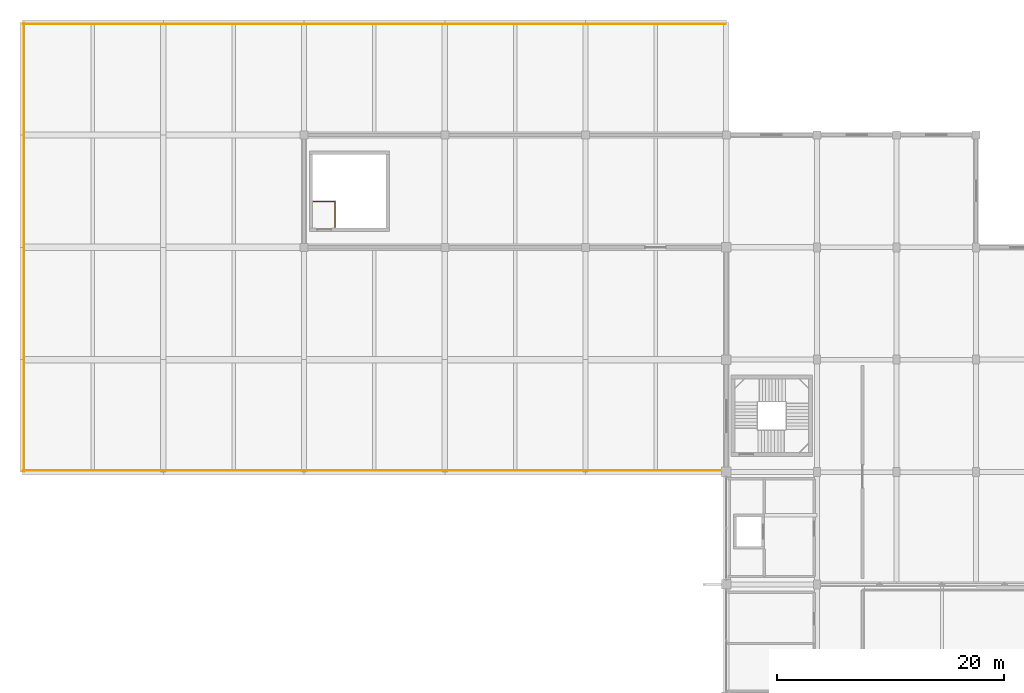
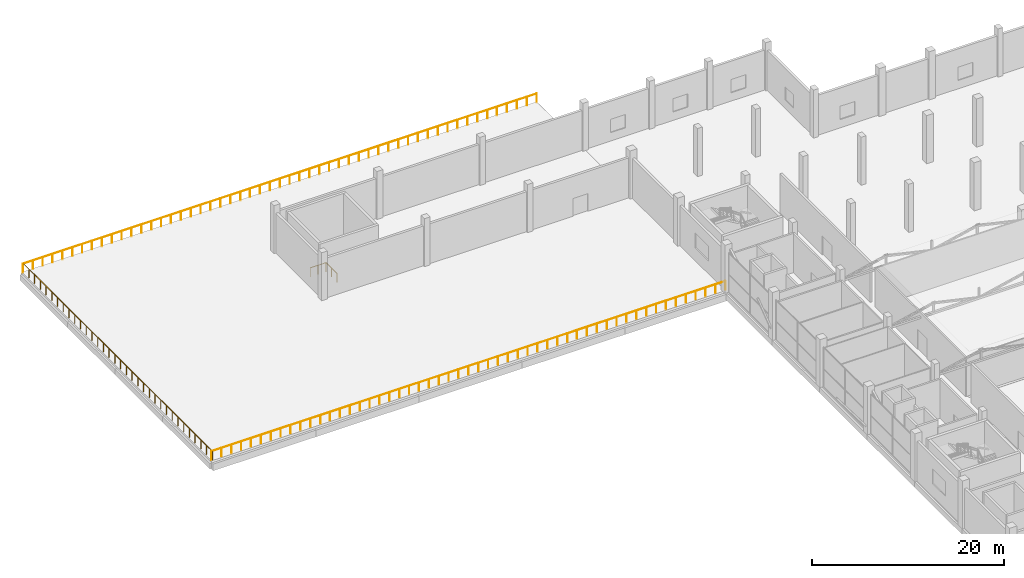
# One storey, part 44 of 46: 4 railings.
"""IFC4 building model written with IfcOpenShell, lengths in metres."""

import ifcopenshell
import ifcopenshell.guid

model = None  # the IFC model being written
_history = None  # IfcOwnerHistory: only IFC2X3 demands one
_inside = {}  # id of a spatial element -> (the spatial element, [elements in it])
_under = {}  # id of a project, library or spatial element -> (it, [spatial elements below it])
_declared = {}  # id of a project -> (the project, [libraries it declares])
_typed = {}  # id of a type object -> (the type object, [elements of that type])
_made_of = {}  # id of a material, layer set ... -> (it, [elements and type objects made of it])


def new_model(schema):
    """Start an empty IFC model of exactly this schema.

    Asked for "IFC4X3", IfcOpenShell would pick the latest addendum, in which some entities
    have other attributes; the version numbers below select the first issue.
    IFC2X3 requires an IfcOwnerHistory on every rooted entity: one is made here for all.
    """
    global model, _history
    if schema == "IFC4X3":
        model = ifcopenshell.file(schema_version=(4, 3, 0, 0))
    else:
        model = ifcopenshell.file(schema=schema)
    _inside.clear()
    _under.clear()
    _declared.clear()
    _typed.clear()
    _made_of.clear()
    _history = None
    if model.schema == "IFC2X3":
        org = make("IfcOrganization", Name="unknown")
        user = make(
            "IfcPersonAndOrganization",
            ThePerson=make("IfcPerson", FamilyName="unknown"),
            TheOrganization=org,
        )
        app = make(
            "IfcApplication",
            ApplicationDeveloper=org,
            Version="unknown",
            ApplicationFullName="unknown",
            ApplicationIdentifier="unknown",
        )
        _history = make(
            "IfcOwnerHistory",
            OwningUser=user,
            OwningApplication=app,
            ChangeAction="ADDED",
            CreationDate=0,
        )
    return model


def make(cls, **values):
    """One entity of the class cls with the attributes given. An attribute that is None is left unset."""
    return model.create_entity(
        cls, **{name: value for name, value in values.items() if value is not None}
    )


def rooted(cls, **values):
    """An entity with a GlobalId (a new one), such as an element, a storey or a relation."""
    return make(cls, GlobalId=ifcopenshell.guid.new(), OwnerHistory=_history, **values)


def si_unit(unit_type, name, prefix=None):
    """IfcSIUnit, for example si_unit("LENGTHUNIT", "METRE", prefix="MILLI")."""
    return make("IfcSIUnit", UnitType=unit_type, Prefix=prefix, Name=name)


def assignment(units):
    """IfcUnitAssignment: the units of a project."""
    return None if units is None else make("IfcUnitAssignment", Units=units)


def point(xyz):
    """IfcCartesianPoint."""
    return None if xyz is None else make("IfcCartesianPoint", Coordinates=xyz)


def direction(xyz):
    """IfcDirection."""
    return None if xyz is None else make("IfcDirection", DirectionRatios=xyz)


def frame(location, z_axis=None, x_axis=None):
    """IfcAxis2Placement3D, a coordinate frame: its origin and axes. An axis left out is left unset."""
    return make(
        "IfcAxis2Placement3D",
        Location=point(location),
        Axis=direction(z_axis),
        RefDirection=direction(x_axis),
    )


def frame_2d(location, x_axis=None):
    """IfcAxis2Placement2D, a coordinate frame in the plane: its origin and x axis."""
    return make(
        "IfcAxis2Placement2D", Location=point(location), RefDirection=direction(x_axis)
    )


def origin():
    """The frame at (0, 0, 0) with its axes left unset."""
    return frame((0.0, 0.0, 0.0))


def origin_2d():
    """The frame at (0, 0) in the plane with its x axis left unset."""
    return frame_2d((0.0, 0.0))


def place(relative_to, where):
    """IfcLocalPlacement: puts the frame where relative to a parent placement (None: the world)."""
    return make(
        "IfcLocalPlacement", PlacementRelTo=relative_to, RelativePlacement=where
    )


def context(
    kind, dimensions, precision=None, world=None, true_north=None, identifier=None
):
    """IfcGeometricRepresentationContext, for example the 3D "Model" context."""
    return make(
        "IfcGeometricRepresentationContext",
        ContextIdentifier=identifier,
        ContextType=kind,
        CoordinateSpaceDimension=dimensions,
        Precision=precision,
        WorldCoordinateSystem=world,
        TrueNorth=true_north,
    )


def subcontext(parent, identifier, kind, view, scale=None):
    """IfcGeometricRepresentationSubContext, for example "Body" below "Model"."""
    return make(
        "IfcGeometricRepresentationSubContext",
        ContextIdentifier=identifier,
        ContextType=kind,
        ParentContext=parent,
        TargetScale=scale,
        TargetView=view,
    )


def project(units=None, contexts=None):
    """IfcProject with its units and contexts."""
    return rooted(
        "IfcProject",
        Name="project",
        RepresentationContexts=contexts,
        UnitsInContext=assignment(units),
    )


def spatial(cls, under=None, at=None, **own):
    """A site, building, storey or space (cls), placed at a placement, below another one or the project."""
    s = rooted(cls, ObjectPlacement=at, **own)
    if under is not None:
        _under.setdefault(under.id(), (under, []))[1].append(s)
    return s


def profile(cls, at=None, kind="AREA", **sizes):
    """A parametric profile (cls). Its sizes go by their IFC names, for example OverallWidth=200.0."""
    return make(cls, ProfileType=kind, Position=at, **sizes)


def circle(**sizes):
    """IfcCircleProfileDef."""
    return profile("IfcCircleProfileDef", **sizes)


def extrude(swept, where, along, depth):
    """IfcExtrudedAreaSolid: the profile swept, set in the frame where, extruded along a direction by depth."""
    return make(
        "IfcExtrudedAreaSolid",
        SweptArea=swept,
        Position=where,
        ExtrudedDirection=direction(along),
        Depth=depth,
    )


def shape(context_of_items, identifier, shape_type, items):
    """IfcShapeRepresentation: the items that make up one representation, for example the "Body"."""
    return make(
        "IfcShapeRepresentation",
        ContextOfItems=context_of_items,
        RepresentationIdentifier=identifier,
        RepresentationType=shape_type,
        Items=items,
    )


def material(Name=None, Category=None):
    """IfcMaterial."""
    return make("IfcMaterial", Name=Name, Category=Category)


def made_of(thing, what):
    """Note that an element or type object is made of a material, layer set ...; save() writes the relation."""
    if what is not None:
        _made_of.setdefault(what.id(), (what, []))[1].append(thing)
    return thing


def type_object(cls, material=None, **own):
    """A type object (cls), such as IfcWallType, which elements share."""
    return made_of(rooted(cls, **own), material)


def element(
    cls,
    number,
    at=None,
    inside=None,
    cuts=None,
    type_object=None,
    material=None,
    context=None,
    identifier="Body",
    shape_type=None,
    held_by="IfcProductDefinitionShape",
    body=None,
    shapes=None,
    **own,
):
    """One element of the class cls, such as IfcWall. Its Tag is "e" and its number.

    at: its placement. inside: the storey or other place that contains it. cuts: it is an
    opening in that element (IfcRelVoidsElement). A single representation is given by context,
    identifier, shape_type and body (its items); several are given by shapes. held_by: the class
    of the entity that holds the representations. save() writes the other relations.
    """
    e = rooted(cls, Tag="e%d" % number, ObjectPlacement=at, **own)
    if body is not None:
        shapes = [shape(context, identifier, shape_type, body)]
    if shapes is not None:
        e.Representation = make(held_by, Representations=shapes)
    if inside is not None:
        _inside.setdefault(inside.id(), (inside, []))[1].append(e)
    if cuts is not None:
        rooted(
            "IfcRelVoidsElement", RelatingBuildingElement=cuts, RelatedOpeningElement=e
        )
    if type_object is not None:
        _typed.setdefault(type_object.id(), (type_object, []))[1].append(e)
    return made_of(e, material)


def aggregate(whole, parts):
    """IfcRelAggregates: a whole, such as a stair, and the parts it consists of."""
    return rooted("IfcRelAggregates", RelatingObject=whole, RelatedObjects=parts)


def save(model, path):
    """Write the relations noted so far, then the file.

    IfcRelAggregates (storeys below a building ...), IfcRelContainedInSpatialStructure (elements
    in a storey), IfcRelDefinesByType, IfcRelAssociatesMaterial and IfcRelDeclares: one each for
    every whole, place, type object, material and project.
    """
    for whole, parts in _under.values():
        aggregate(whole, parts)
    for where, things in _inside.values():
        rooted(
            "IfcRelContainedInSpatialStructure",
            RelatedElements=things,
            RelatingStructure=where,
        )
    for kind, things in _typed.values():
        rooted("IfcRelDefinesByType", RelatedObjects=things, RelatingType=kind)
    for what, things in _made_of.values():
        rooted("IfcRelAssociatesMaterial", RelatedObjects=things, RelatingMaterial=what)
    for by, libraries in _declared.values():
        rooted("IfcRelDeclares", RelatingContext=by, RelatedDefinitions=libraries)
    model.write(path)


model = new_model("IFC4")

# Units and contexts
model_context = context("Model", 3, precision=1e-05, world=origin(), true_north=direction((0.0, 1.0)))
body_context = subcontext(model_context, "Body", "Model", "MODEL_VIEW")
ifc_project = project(units=[si_unit("LENGTHUNIT", "METRE"), si_unit("AREAUNIT", "SQUARE_METRE"), si_unit("VOLUMEUNIT", "CUBIC_METRE"), si_unit("PLANEANGLEUNIT", "RADIAN"), si_unit("MASSUNIT", "GRAM", prefix="KILO")], contexts=[model_context])

# Site, building, storey
site_placement = place(None, origin())
site = spatial("IfcSite", under=ifc_project, at=site_placement, CompositionType="ELEMENT")
building_placement = place(site_placement, origin())
building = spatial("IfcBuilding", under=site, at=building_placement, Name="Sillaruma Civic Art Gallery", CompositionType="ELEMENT")
storey_placement = place(building_placement, frame((0.0, 0.0, 16.320068359375)))
storey = spatial("IfcBuildingStorey", under=building, at=storey_placement, Name="L03", CompositionType="ELEMENT", Elevation=16.320068359375)

# Railings
ifc_material = material(Name="Stainless Steel AISI 316", Category="steel")
railing_type = type_object("IfcRailingType", Name="RAL-BAL-1150", PredefinedType="BALUSTRADE", material=ifc_material)
railing_1_placement = place(storey_placement, frame((0.06005859375, 79.320068359375, 0.0)))
element("IfcRailing", 1, at=railing_1_placement, inside=storey, type_object=railing_type, Name="Sculpture Terrace Balustrade (SLB-L03-TER-W-1)", PredefinedType="BALUSTRADE", context=body_context, shape_type="SweptSolid", body=[
    extrude(circle(Radius=0.02392578125, at=origin_2d()), frame((0.0, 0.0, 1.1259765625), z_axis=(1.0, 0.0, 0.0), x_axis=(0.0, 1.0, 0.0)), (0.0, 0.0, 1.0), 61.8798828125),
    extrude(circle(Radius=0.02099609375, at=origin_2d()), origin(), (0.0, 0.0, 1.0), 1.101806640625),
    extrude(circle(Radius=0.02099609375, at=origin_2d()), frame((1.18994140625, 0.0, 0.0)), (0.0, 0.0, 1.0), 1.101806640625),
    extrude(circle(Radius=0.02099609375, at=origin_2d()), frame((2.3798828125, 0.0, 0.0)), (0.0, 0.0, 1.0), 1.101806640625),
    extrude(circle(Radius=0.02099609375, at=origin_2d()), frame((3.570068359375, 0.0, 0.0)), (0.0, 0.0, 1.0), 1.101806640625),
    extrude(circle(Radius=0.02099609375, at=origin_2d()), frame((4.760009765625, 0.0, 0.0)), (0.0, 0.0, 1.0), 1.101806640625),
    extrude(circle(Radius=0.02099609375, at=origin_2d()), frame((5.949951171875, 0.0, 0.0)), (0.0, 0.0, 1.0), 1.101806640625),
    extrude(circle(Radius=0.02099609375, at=origin_2d()), frame((7.139892578125, 0.0, 0.0)), (0.0, 0.0, 1.0), 1.101806640625),
    extrude(circle(Radius=0.02099609375, at=origin_2d()), frame((8.330078125, 0.0, 0.0)), (0.0, 0.0, 1.0), 1.101806640625),
    extrude(circle(Radius=0.02099609375, at=origin_2d()), frame((9.52001953125, 0.0, 0.0)), (0.0, 0.0, 1.0), 1.101806640625),
    extrude(circle(Radius=0.02099609375, at=origin_2d()), frame((10.7099609375, 0.0, 0.0)), (0.0, 0.0, 1.0), 1.101806640625),
    extrude(circle(Radius=0.02099609375, at=origin_2d()), frame((11.89990234375, 0.0, 0.0)), (0.0, 0.0, 1.0), 1.101806640625),
    extrude(circle(Radius=0.02099609375, at=origin_2d()), frame((13.090087890625, 0.0, 0.0)), (0.0, 0.0, 1.0), 1.101806640625),
    extrude(circle(Radius=0.02099609375, at=origin_2d()), frame((14.280029296875, 0.0, 0.0)), (0.0, 0.0, 1.0), 1.101806640625),
    extrude(circle(Radius=0.02099609375, at=origin_2d()), frame((15.469970703125, 0.0, 0.0)), (0.0, 0.0, 1.0), 1.101806640625),
    extrude(circle(Radius=0.02099609375, at=origin_2d()), frame((16.659912109375, 0.0, 0.0)), (0.0, 0.0, 1.0), 1.101806640625),
    extrude(circle(Radius=0.02099609375, at=origin_2d()), frame((17.849853515625, 0.0, 0.0)), (0.0, 0.0, 1.0), 1.101806640625),
    extrude(circle(Radius=0.02099609375, at=origin_2d()), frame((19.0400390625, 0.0, 0.0)), (0.0, 0.0, 1.0), 1.101806640625),
    extrude(circle(Radius=0.02099609375, at=origin_2d()), frame((20.22998046875, 0.0, 0.0)), (0.0, 0.0, 1.0), 1.101806640625),
    extrude(circle(Radius=0.02099609375, at=origin_2d()), frame((21.419921875, 0.0, 0.0)), (0.0, 0.0, 1.0), 1.101806640625),
    extrude(circle(Radius=0.02099609375, at=origin_2d()), frame((22.60986328125, 0.0, 0.0)), (0.0, 0.0, 1.0), 1.101806640625),
    extrude(circle(Radius=0.02099609375, at=origin_2d()), frame((23.800048828125, 0.0, 0.0)), (0.0, 0.0, 1.0), 1.101806640625),
    extrude(circle(Radius=0.02099609375, at=origin_2d()), frame((24.989990234375, 0.0, 0.0)), (0.0, 0.0, 1.0), 1.101806640625),
    extrude(circle(Radius=0.02099609375, at=origin_2d()), frame((26.179931640625, 0.0, 0.0)), (0.0, 0.0, 1.0), 1.101806640625),
    extrude(circle(Radius=0.02099609375, at=origin_2d()), frame((27.369873046875, 0.0, 0.0)), (0.0, 0.0, 1.0), 1.101806640625),
    extrude(circle(Radius=0.02099609375, at=origin_2d()), frame((28.56005859375, 0.0, 0.0)), (0.0, 0.0, 1.0), 1.101806640625),
    extrude(circle(Radius=0.02099609375, at=origin_2d()), frame((29.75, 0.0, 0.0)), (0.0, 0.0, 1.0), 1.101806640625),
    extrude(circle(Radius=0.02099609375, at=origin_2d()), frame((30.93994140625, 0.0, 0.0)), (0.0, 0.0, 1.0), 1.101806640625),
    extrude(circle(Radius=0.02099609375, at=origin_2d()), frame((32.1298828125, 0.0, 0.0)), (0.0, 0.0, 1.0), 1.101806640625),
    extrude(circle(Radius=0.02099609375, at=origin_2d()), frame((33.31982421875, 0.0, 0.0)), (0.0, 0.0, 1.0), 1.101806640625),
    extrude(circle(Radius=0.02099609375, at=origin_2d()), frame((34.510009765625, 0.0, 0.0)), (0.0, 0.0, 1.0), 1.101806640625),
    extrude(circle(Radius=0.02099609375, at=origin_2d()), frame((35.699951171875, 0.0, 0.0)), (0.0, 0.0, 1.0), 1.101806640625),
    extrude(circle(Radius=0.02099609375, at=origin_2d()), frame((36.889892578125, 0.0, 0.0)), (0.0, 0.0, 1.0), 1.101806640625),
    extrude(circle(Radius=0.02099609375, at=origin_2d()), frame((38.079833984375, 0.0, 0.0)), (0.0, 0.0, 1.0), 1.101806640625),
    extrude(circle(Radius=0.02099609375, at=origin_2d()), frame((39.27001953125, 0.0, 0.0)), (0.0, 0.0, 1.0), 1.101806640625),
    extrude(circle(Radius=0.02099609375, at=origin_2d()), frame((40.4599609375, 0.0, 0.0)), (0.0, 0.0, 1.0), 1.101806640625),
    extrude(circle(Radius=0.02099609375, at=origin_2d()), frame((41.64990234375, 0.0, 0.0)), (0.0, 0.0, 1.0), 1.101806640625),
    extrude(circle(Radius=0.02099609375, at=origin_2d()), frame((42.83984375, 0.0, 0.0)), (0.0, 0.0, 1.0), 1.101806640625),
    extrude(circle(Radius=0.02099609375, at=origin_2d()), frame((44.030029296875, 0.0, 0.0)), (0.0, 0.0, 1.0), 1.101806640625),
    extrude(circle(Radius=0.02099609375, at=origin_2d()), frame((45.219970703125, 0.0, 0.0)), (0.0, 0.0, 1.0), 1.101806640625),
    extrude(circle(Radius=0.02099609375, at=origin_2d()), frame((46.409912109375, 0.0, 0.0)), (0.0, 0.0, 1.0), 1.101806640625),
    extrude(circle(Radius=0.02099609375, at=origin_2d()), frame((47.599853515625, 0.0, 0.0)), (0.0, 0.0, 1.0), 1.101806640625),
    extrude(circle(Radius=0.02099609375, at=origin_2d()), frame((48.789794921875, 0.0, 0.0)), (0.0, 0.0, 1.0), 1.101806640625),
    extrude(circle(Radius=0.02099609375, at=origin_2d()), frame((49.97998046875, 0.0, 0.0)), (0.0, 0.0, 1.0), 1.101806640625),
    extrude(circle(Radius=0.02099609375, at=origin_2d()), frame((51.169921875, 0.0, 0.0)), (0.0, 0.0, 1.0), 1.101806640625),
    extrude(circle(Radius=0.02099609375, at=origin_2d()), frame((52.35986328125, 0.0, 0.0)), (0.0, 0.0, 1.0), 1.101806640625),
    extrude(circle(Radius=0.02099609375, at=origin_2d()), frame((53.5498046875, 0.0, 0.0)), (0.0, 0.0, 1.0), 1.101806640625),
    extrude(circle(Radius=0.02099609375, at=origin_2d()), frame((54.739990234375, 0.0, 0.0)), (0.0, 0.0, 1.0), 1.101806640625),
    extrude(circle(Radius=0.02099609375, at=origin_2d()), frame((55.929931640625, 0.0, 0.0)), (0.0, 0.0, 1.0), 1.101806640625),
    extrude(circle(Radius=0.02099609375, at=origin_2d()), frame((57.119873046875, 0.0, 0.0)), (0.0, 0.0, 1.0), 1.101806640625),
    extrude(circle(Radius=0.02099609375, at=origin_2d()), frame((58.309814453125, 0.0, 0.0)), (0.0, 0.0, 1.0), 1.101806640625),
    extrude(circle(Radius=0.02099609375, at=origin_2d()), frame((59.5, 0.0, 0.0)), (0.0, 0.0, 1.0), 1.101806640625),
    extrude(circle(Radius=0.02099609375, at=origin_2d()), frame((60.68994140625, 0.0, 0.0)), (0.0, 0.0, 1.0), 1.101806640625),
    extrude(circle(Radius=0.02099609375, at=origin_2d()), frame((61.8798828125, 0.0, 0.0)), (0.0, 0.0, 1.0), 1.101806640625),
])
railing_2_placement = place(storey_placement, frame((0.1201171875, 79.260009765625, 0.0)))
element("IfcRailing", 2, at=railing_2_placement, inside=storey, type_object=railing_type, Name="Sculpture Terrace Balustrade (SLB-L03-TER-W-2)", PredefinedType="BALUSTRADE", context=body_context, shape_type="SweptSolid", body=[
    extrude(circle(Radius=0.02392578125, at=origin_2d()), frame((0.0, 0.0, 1.1259765625), z_axis=(0.0, 1.0, 0.0), x_axis=(-1.0, 0.0, 0.0)), (0.0, 0.0, 1.0), 39.47998046875),
    extrude(circle(Radius=0.02099609375, at=origin_2d()), origin(), (0.0, 0.0, 1.0), 1.101806640625),
    extrude(circle(Radius=0.02099609375, at=origin_2d()), frame((0.0, 1.1962890625, 0.0)), (0.0, 0.0, 1.0), 1.101806640625),
    extrude(circle(Radius=0.02099609375, at=origin_2d()), frame((0.0, 2.392822265625, 0.0)), (0.0, 0.0, 1.0), 1.101806640625),
    extrude(circle(Radius=0.02099609375, at=origin_2d()), frame((0.0, 3.589111328125, 0.0)), (0.0, 0.0, 1.0), 1.101806640625),
    extrude(circle(Radius=0.02099609375, at=origin_2d()), frame((0.0, 4.785400390625, 0.0)), (0.0, 0.0, 1.0), 1.101806640625),
    extrude(circle(Radius=0.02099609375, at=origin_2d()), frame((0.0, 5.98193359375, 0.0)), (0.0, 0.0, 1.0), 1.101806640625),
    extrude(circle(Radius=0.02099609375, at=origin_2d()), frame((0.0, 7.17822265625, 0.0)), (0.0, 0.0, 1.0), 1.101806640625),
    extrude(circle(Radius=0.02099609375, at=origin_2d()), frame((0.0, 8.37451171875, 0.0)), (0.0, 0.0, 1.0), 1.101806640625),
    extrude(circle(Radius=0.02099609375, at=origin_2d()), frame((0.0, 9.57080078125, 0.0)), (0.0, 0.0, 1.0), 1.101806640625),
    extrude(circle(Radius=0.02099609375, at=origin_2d()), frame((0.0, 10.767333984375, 0.0)), (0.0, 0.0, 1.0), 1.101806640625),
    extrude(circle(Radius=0.02099609375, at=origin_2d()), frame((0.0, 11.963623046875, 0.0)), (0.0, 0.0, 1.0), 1.101806640625),
    extrude(circle(Radius=0.02099609375, at=origin_2d()), frame((0.0, 13.159912109375, 0.0)), (0.0, 0.0, 1.0), 1.101806640625),
    extrude(circle(Radius=0.02099609375, at=origin_2d()), frame((0.0, 14.3564453125, 0.0)), (0.0, 0.0, 1.0), 1.101806640625),
    extrude(circle(Radius=0.02099609375, at=origin_2d()), frame((0.0, 15.552734375, 0.0)), (0.0, 0.0, 1.0), 1.101806640625),
    extrude(circle(Radius=0.02099609375, at=origin_2d()), frame((0.0, 16.7490234375, 0.0)), (0.0, 0.0, 1.0), 1.101806640625),
    extrude(circle(Radius=0.02099609375, at=origin_2d()), frame((0.0, 17.945556640625, 0.0)), (0.0, 0.0, 1.0), 1.101806640625),
    extrude(circle(Radius=0.02099609375, at=origin_2d()), frame((0.0, 19.141845703125, 0.0)), (0.0, 0.0, 1.0), 1.101806640625),
    extrude(circle(Radius=0.02099609375, at=origin_2d()), frame((0.0, 20.338134765625, 0.0)), (0.0, 0.0, 1.0), 1.101806640625),
    extrude(circle(Radius=0.02099609375, at=origin_2d()), frame((0.0, 21.534423828125, 0.0)), (0.0, 0.0, 1.0), 1.101806640625),
    extrude(circle(Radius=0.02099609375, at=origin_2d()), frame((0.0, 22.73095703125, 0.0)), (0.0, 0.0, 1.0), 1.101806640625),
    extrude(circle(Radius=0.02099609375, at=origin_2d()), frame((0.0, 23.92724609375, 0.0)), (0.0, 0.0, 1.0), 1.101806640625),
    extrude(circle(Radius=0.02099609375, at=origin_2d()), frame((0.0, 25.12353515625, 0.0)), (0.0, 0.0, 1.0), 1.101806640625),
    extrude(circle(Radius=0.02099609375, at=origin_2d()), frame((0.0, 26.320068359375, 0.0)), (0.0, 0.0, 1.0), 1.101806640625),
    extrude(circle(Radius=0.02099609375, at=origin_2d()), frame((0.0, 27.516357421875, 0.0)), (0.0, 0.0, 1.0), 1.101806640625),
    extrude(circle(Radius=0.02099609375, at=origin_2d()), frame((0.0, 28.712646484375, 0.0)), (0.0, 0.0, 1.0), 1.101806640625),
    extrude(circle(Radius=0.02099609375, at=origin_2d()), frame((0.0, 29.9091796875, 0.0)), (0.0, 0.0, 1.0), 1.101806640625),
    extrude(circle(Radius=0.02099609375, at=origin_2d()), frame((0.0, 31.10546875, 0.0)), (0.0, 0.0, 1.0), 1.101806640625),
    extrude(circle(Radius=0.02099609375, at=origin_2d()), frame((0.0, 32.3017578125, 0.0)), (0.0, 0.0, 1.0), 1.101806640625),
    extrude(circle(Radius=0.02099609375, at=origin_2d()), frame((0.0, 33.498046875, 0.0)), (0.0, 0.0, 1.0), 1.101806640625),
    extrude(circle(Radius=0.02099609375, at=origin_2d()), frame((0.0, 34.694580078125, 0.0)), (0.0, 0.0, 1.0), 1.101806640625),
    extrude(circle(Radius=0.02099609375, at=origin_2d()), frame((0.0, 35.890869140625, 0.0)), (0.0, 0.0, 1.0), 1.101806640625),
    extrude(circle(Radius=0.02099609375, at=origin_2d()), frame((0.0, 37.087158203125, 0.0)), (0.0, 0.0, 1.0), 1.101806640625),
    extrude(circle(Radius=0.02099609375, at=origin_2d()), frame((0.0, 38.28369140625, 0.0)), (0.0, 0.0, 1.0), 1.101806640625),
    extrude(circle(Radius=0.02099609375, at=origin_2d()), frame((0.0, 39.47998046875, 0.0)), (0.0, 0.0, 1.0), 1.101806640625),
])
railing_3_placement = place(storey_placement, frame((0.06005859375, 118.679931640625, 0.0)))
element("IfcRailing", 3, at=railing_3_placement, inside=storey, type_object=railing_type, Name="Sculpture Terrace Balustrade (SLB-L03-TER-W-3)", PredefinedType="BALUSTRADE", context=body_context, shape_type="SweptSolid", body=[
    extrude(circle(Radius=0.02392578125, at=origin_2d()), frame((0.0, 0.0, 1.1259765625), z_axis=(1.0, 0.0, 0.0), x_axis=(0.0, 1.0, 0.0)), (0.0, 0.0, 1.0), 61.8798828125),
    extrude(circle(Radius=0.02099609375, at=origin_2d()), origin(), (0.0, 0.0, 1.0), 1.101806640625),
    extrude(circle(Radius=0.02099609375, at=origin_2d()), frame((1.18994140625, 0.0, 0.0)), (0.0, 0.0, 1.0), 1.101806640625),
    extrude(circle(Radius=0.02099609375, at=origin_2d()), frame((2.3798828125, 0.0, 0.0)), (0.0, 0.0, 1.0), 1.101806640625),
    extrude(circle(Radius=0.02099609375, at=origin_2d()), frame((3.570068359375, 0.0, 0.0)), (0.0, 0.0, 1.0), 1.101806640625),
    extrude(circle(Radius=0.02099609375, at=origin_2d()), frame((4.760009765625, 0.0, 0.0)), (0.0, 0.0, 1.0), 1.101806640625),
    extrude(circle(Radius=0.02099609375, at=origin_2d()), frame((5.949951171875, 0.0, 0.0)), (0.0, 0.0, 1.0), 1.101806640625),
    extrude(circle(Radius=0.02099609375, at=origin_2d()), frame((7.139892578125, 0.0, 0.0)), (0.0, 0.0, 1.0), 1.101806640625),
    extrude(circle(Radius=0.02099609375, at=origin_2d()), frame((8.330078125, 0.0, 0.0)), (0.0, 0.0, 1.0), 1.101806640625),
    extrude(circle(Radius=0.02099609375, at=origin_2d()), frame((9.52001953125, 0.0, 0.0)), (0.0, 0.0, 1.0), 1.101806640625),
    extrude(circle(Radius=0.02099609375, at=origin_2d()), frame((10.7099609375, 0.0, 0.0)), (0.0, 0.0, 1.0), 1.101806640625),
    extrude(circle(Radius=0.02099609375, at=origin_2d()), frame((11.89990234375, 0.0, 0.0)), (0.0, 0.0, 1.0), 1.101806640625),
    extrude(circle(Radius=0.02099609375, at=origin_2d()), frame((13.090087890625, 0.0, 0.0)), (0.0, 0.0, 1.0), 1.101806640625),
    extrude(circle(Radius=0.02099609375, at=origin_2d()), frame((14.280029296875, 0.0, 0.0)), (0.0, 0.0, 1.0), 1.101806640625),
    extrude(circle(Radius=0.02099609375, at=origin_2d()), frame((15.469970703125, 0.0, 0.0)), (0.0, 0.0, 1.0), 1.101806640625),
    extrude(circle(Radius=0.02099609375, at=origin_2d()), frame((16.659912109375, 0.0, 0.0)), (0.0, 0.0, 1.0), 1.101806640625),
    extrude(circle(Radius=0.02099609375, at=origin_2d()), frame((17.849853515625, 0.0, 0.0)), (0.0, 0.0, 1.0), 1.101806640625),
    extrude(circle(Radius=0.02099609375, at=origin_2d()), frame((19.0400390625, 0.0, 0.0)), (0.0, 0.0, 1.0), 1.101806640625),
    extrude(circle(Radius=0.02099609375, at=origin_2d()), frame((20.22998046875, 0.0, 0.0)), (0.0, 0.0, 1.0), 1.101806640625),
    extrude(circle(Radius=0.02099609375, at=origin_2d()), frame((21.419921875, 0.0, 0.0)), (0.0, 0.0, 1.0), 1.101806640625),
    extrude(circle(Radius=0.02099609375, at=origin_2d()), frame((22.60986328125, 0.0, 0.0)), (0.0, 0.0, 1.0), 1.101806640625),
    extrude(circle(Radius=0.02099609375, at=origin_2d()), frame((23.800048828125, 0.0, 0.0)), (0.0, 0.0, 1.0), 1.101806640625),
    extrude(circle(Radius=0.02099609375, at=origin_2d()), frame((24.989990234375, 0.0, 0.0)), (0.0, 0.0, 1.0), 1.101806640625),
    extrude(circle(Radius=0.02099609375, at=origin_2d()), frame((26.179931640625, 0.0, 0.0)), (0.0, 0.0, 1.0), 1.101806640625),
    extrude(circle(Radius=0.02099609375, at=origin_2d()), frame((27.369873046875, 0.0, 0.0)), (0.0, 0.0, 1.0), 1.101806640625),
    extrude(circle(Radius=0.02099609375, at=origin_2d()), frame((28.56005859375, 0.0, 0.0)), (0.0, 0.0, 1.0), 1.101806640625),
    extrude(circle(Radius=0.02099609375, at=origin_2d()), frame((29.75, 0.0, 0.0)), (0.0, 0.0, 1.0), 1.101806640625),
    extrude(circle(Radius=0.02099609375, at=origin_2d()), frame((30.93994140625, 0.0, 0.0)), (0.0, 0.0, 1.0), 1.101806640625),
    extrude(circle(Radius=0.02099609375, at=origin_2d()), frame((32.1298828125, 0.0, 0.0)), (0.0, 0.0, 1.0), 1.101806640625),
    extrude(circle(Radius=0.02099609375, at=origin_2d()), frame((33.31982421875, 0.0, 0.0)), (0.0, 0.0, 1.0), 1.101806640625),
    extrude(circle(Radius=0.02099609375, at=origin_2d()), frame((34.510009765625, 0.0, 0.0)), (0.0, 0.0, 1.0), 1.101806640625),
    extrude(circle(Radius=0.02099609375, at=origin_2d()), frame((35.699951171875, 0.0, 0.0)), (0.0, 0.0, 1.0), 1.101806640625),
    extrude(circle(Radius=0.02099609375, at=origin_2d()), frame((36.889892578125, 0.0, 0.0)), (0.0, 0.0, 1.0), 1.101806640625),
    extrude(circle(Radius=0.02099609375, at=origin_2d()), frame((38.079833984375, 0.0, 0.0)), (0.0, 0.0, 1.0), 1.101806640625),
    extrude(circle(Radius=0.02099609375, at=origin_2d()), frame((39.27001953125, 0.0, 0.0)), (0.0, 0.0, 1.0), 1.101806640625),
    extrude(circle(Radius=0.02099609375, at=origin_2d()), frame((40.4599609375, 0.0, 0.0)), (0.0, 0.0, 1.0), 1.101806640625),
    extrude(circle(Radius=0.02099609375, at=origin_2d()), frame((41.64990234375, 0.0, 0.0)), (0.0, 0.0, 1.0), 1.101806640625),
    extrude(circle(Radius=0.02099609375, at=origin_2d()), frame((42.83984375, 0.0, 0.0)), (0.0, 0.0, 1.0), 1.101806640625),
    extrude(circle(Radius=0.02099609375, at=origin_2d()), frame((44.030029296875, 0.0, 0.0)), (0.0, 0.0, 1.0), 1.101806640625),
    extrude(circle(Radius=0.02099609375, at=origin_2d()), frame((45.219970703125, 0.0, 0.0)), (0.0, 0.0, 1.0), 1.101806640625),
    extrude(circle(Radius=0.02099609375, at=origin_2d()), frame((46.409912109375, 0.0, 0.0)), (0.0, 0.0, 1.0), 1.101806640625),
    extrude(circle(Radius=0.02099609375, at=origin_2d()), frame((47.599853515625, 0.0, 0.0)), (0.0, 0.0, 1.0), 1.101806640625),
    extrude(circle(Radius=0.02099609375, at=origin_2d()), frame((48.789794921875, 0.0, 0.0)), (0.0, 0.0, 1.0), 1.101806640625),
    extrude(circle(Radius=0.02099609375, at=origin_2d()), frame((49.97998046875, 0.0, 0.0)), (0.0, 0.0, 1.0), 1.101806640625),
    extrude(circle(Radius=0.02099609375, at=origin_2d()), frame((51.169921875, 0.0, 0.0)), (0.0, 0.0, 1.0), 1.101806640625),
    extrude(circle(Radius=0.02099609375, at=origin_2d()), frame((52.35986328125, 0.0, 0.0)), (0.0, 0.0, 1.0), 1.101806640625),
    extrude(circle(Radius=0.02099609375, at=origin_2d()), frame((53.5498046875, 0.0, 0.0)), (0.0, 0.0, 1.0), 1.101806640625),
    extrude(circle(Radius=0.02099609375, at=origin_2d()), frame((54.739990234375, 0.0, 0.0)), (0.0, 0.0, 1.0), 1.101806640625),
    extrude(circle(Radius=0.02099609375, at=origin_2d()), frame((55.929931640625, 0.0, 0.0)), (0.0, 0.0, 1.0), 1.101806640625),
    extrude(circle(Radius=0.02099609375, at=origin_2d()), frame((57.119873046875, 0.0, 0.0)), (0.0, 0.0, 1.0), 1.101806640625),
    extrude(circle(Radius=0.02099609375, at=origin_2d()), frame((58.309814453125, 0.0, 0.0)), (0.0, 0.0, 1.0), 1.101806640625),
    extrude(circle(Radius=0.02099609375, at=origin_2d()), frame((59.5, 0.0, 0.0)), (0.0, 0.0, 1.0), 1.101806640625),
    extrude(circle(Radius=0.02099609375, at=origin_2d()), frame((60.68994140625, 0.0, 0.0)), (0.0, 0.0, 1.0), 1.101806640625),
    extrude(circle(Radius=0.02099609375, at=origin_2d()), frame((61.8798828125, 0.0, 0.0)), (0.0, 0.0, 1.0), 1.101806640625),
])
railing_4_placement = place(storey_placement, frame((27.5400390625, 100.780029296875, 0.0)))
element("IfcRailing", 4, at=railing_4_placement, inside=storey, type_object=railing_type, Name="Stair Floor Edge Guard (ST-01:L03)", PredefinedType="BALUSTRADE", context=body_context, shape_type="SweptSolid", body=[
    extrude(circle(Radius=0.02392578125, at=origin_2d()), frame((0.0, 0.0, 1.1259765625), z_axis=(0.0, 1.0, 0.0), x_axis=(-1.0, 0.0, 0.0)), (0.0, 0.0, 1.0), 2.27001953125),
    extrude(circle(Radius=0.02392578125, at=origin_2d()), frame((0.0, 2.27001953125, 1.1259765625), z_axis=(-1.0, 0.0, 0.0), x_axis=(0.0, -1.0, 0.0)), (0.0, 0.0, 1.0), 1.900146484375),
    extrude(circle(Radius=0.02099609375, at=origin_2d()), origin(), (0.0, 0.0, 1.0), 1.101806640625),
    extrude(circle(Radius=0.02099609375, at=origin_2d()), frame((0.0, 1.135009765625, 0.0)), (0.0, 0.0, 1.0), 1.101806640625),
    extrude(circle(Radius=0.02099609375, at=origin_2d()), frame((0.0, 2.27001953125, 0.0)), (0.0, 0.0, 1.0), 1.101806640625),
    extrude(circle(Radius=0.02099609375, at=origin_2d()), frame((-0.9501953125, 2.27001953125, 0.0)), (0.0, 0.0, 1.0), 1.101806640625),
    extrude(circle(Radius=0.02099609375, at=origin_2d()), frame((-1.900146484375, 2.27001953125, 0.0)), (0.0, 0.0, 1.0), 1.101806640625),
])

save(model, "model.ifc")
